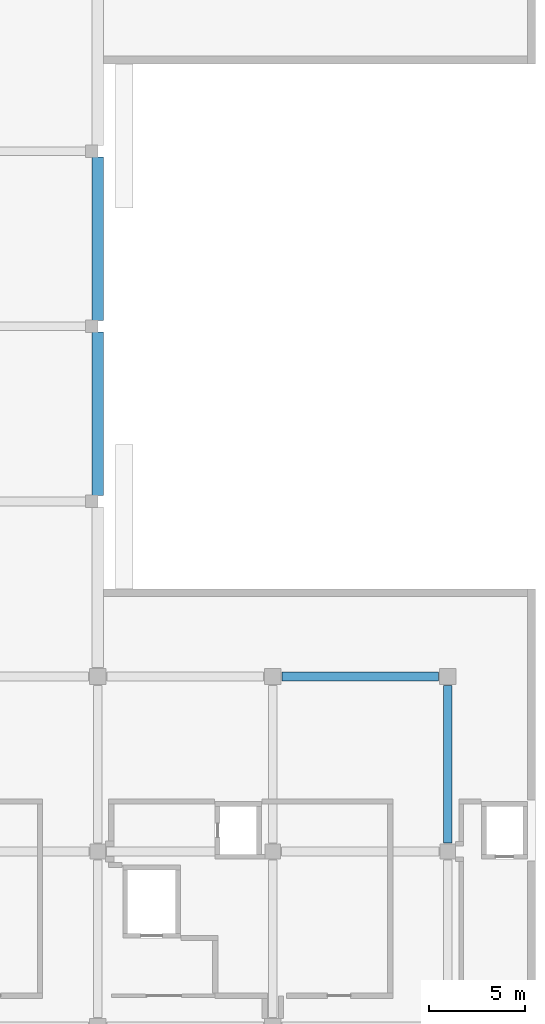
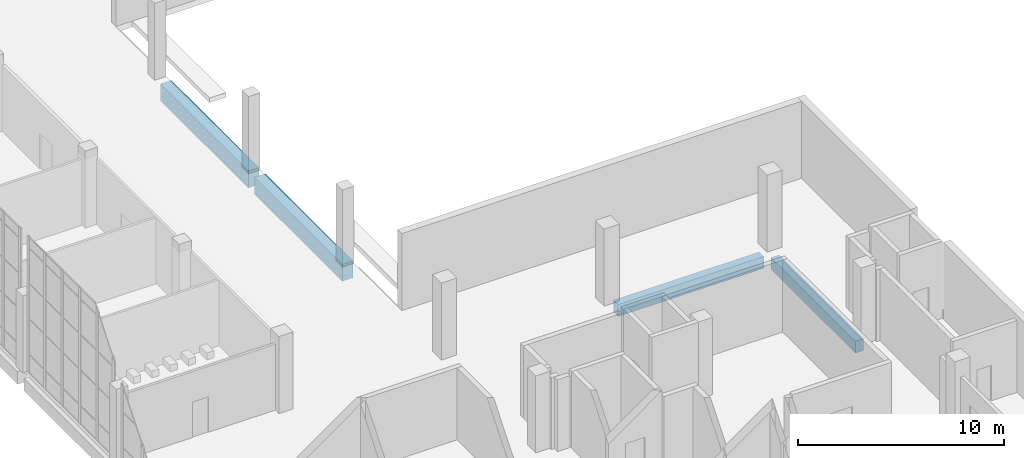
# One storey, part 15 of 126: 4 beams.
"""IFC4 building model written with IfcOpenShell, lengths in metres."""

from ifc_helpers import new_model, si_unit, direction, frame, origin, origin_2d, place, context, subcontext, project, spatial, rectangle, extrude, material, material_profile, profile_set, type_object, element, save


model = new_model("IFC4")

# Units and contexts
model_context = context("Model", 3, precision=1e-05, world=origin(), true_north=direction((0.0, 1.0)))
body_context = subcontext(model_context, "Body", "Model", "MODEL_VIEW")
ifc_project = project(units=[si_unit("LENGTHUNIT", "METRE"), si_unit("AREAUNIT", "SQUARE_METRE"), si_unit("VOLUMEUNIT", "CUBIC_METRE"), si_unit("PLANEANGLEUNIT", "RADIAN"), si_unit("MASSUNIT", "GRAM", prefix="KILO")], contexts=[model_context])

# Site, building, storey
site_placement = place(None, origin())
site = spatial("IfcSite", under=ifc_project, at=site_placement, CompositionType="ELEMENT")
building_placement = place(site_placement, origin())
building = spatial("IfcBuilding", under=site, at=building_placement, Name="Shirokan Park Arena", CompositionType="ELEMENT")
storey_placement = place(building_placement, frame((0.0, 0.0, 6.3701171875)))
storey = spatial("IfcBuildingStorey", under=building, at=storey_placement, Name="L01", CompositionType="ELEMENT", Elevation=6.3701171875)

# Beams
ifc_material = material(Name="Concrete C35", Category="concrete")
ifc_material_profile_1 = material_profile(ifc_material, rectangle(XDim=0.449951171875, YDim=0.699951171875, at=origin_2d()), Name="450x700")
ifc_profile_set_1 = profile_set([ifc_material_profile_1], Name="Concrete C35")
beam_type_1 = type_object("IfcBeamType", Name="RC girder 450x700", PredefinedType="BEAM", material=ifc_profile_set_1)
beam_1_placement = place(storey_placement, frame((27.775146484375, 36.39990234375, -0.7001953125), z_axis=(1.0, 0.0, 0.0), x_axis=(0.0, 1.0, 0.0)))
element("IfcBeam", 1, at=beam_1_placement, inside=storey, type_object=beam_type_1, Name="Girder 4E-5E L01", PredefinedType="BEAM", context=body_context, shape_type="SweptSolid", body=[
    extrude(rectangle(XDim=0.449951171875, YDim=0.699951171875, at=origin_2d()), origin(), (0.0, 0.0, 1.0), 8.149658203125),
])
beam_2_placement = place(storey_placement, frame((36.39990234375, 27.75, -0.7001953125), z_axis=(0.0, 1.0, 0.0), x_axis=(-1.0, 0.0, 0.0)))
element("IfcBeam", 2, at=beam_2_placement, inside=storey, type_object=beam_type_1, Name="Girder 5D-5E L01", PredefinedType="BEAM", context=body_context, shape_type="SweptSolid", body=[
    extrude(rectangle(XDim=0.449951171875, YDim=0.699951171875, at=origin_2d()), origin(), (0.0, 0.0, 1.0), 8.1748046875),
])
ifc_material_profile_2 = material_profile(ifc_material, rectangle(XDim=0.60009765625, YDim=1.0, at=origin_2d()), Name="600x1000")
ifc_profile_set_2 = profile_set([ifc_material_profile_2], Name="Concrete C35")
beam_type_2 = type_object("IfcBeamType", Name="RC girder 600x1000", PredefinedType="BEAM", material=ifc_profile_set_2)
for number, where, z_axis, x_axis, name in (
    (3, (18.199951171875, 45.800048828125, -0.85009765625), (0.0, 1.0, 0.0), (-1.0, 0.0, 0.0), "Girder 3F-3G L01"),
    (4, (18.199951171875, 54.900146484375, -0.85009765625), (0.0, 1.0, 0.0), (-1.0, 0.0, 0.0), "Girder 3G-3H L01"),
):
    element("IfcBeam", number, at=place(storey_placement, frame(where, z_axis=z_axis, x_axis=x_axis)), inside=storey, type_object=beam_type_2, Name=name, PredefinedType="BEAM", context=body_context, shape_type="SweptSolid", body=[
        extrude(rectangle(XDim=0.60009765625, YDim=1.0, at=origin_2d()), origin(), (0.0, 0.0, 1.0), 8.499755859375),
    ])

save(model, "model.ifc")
